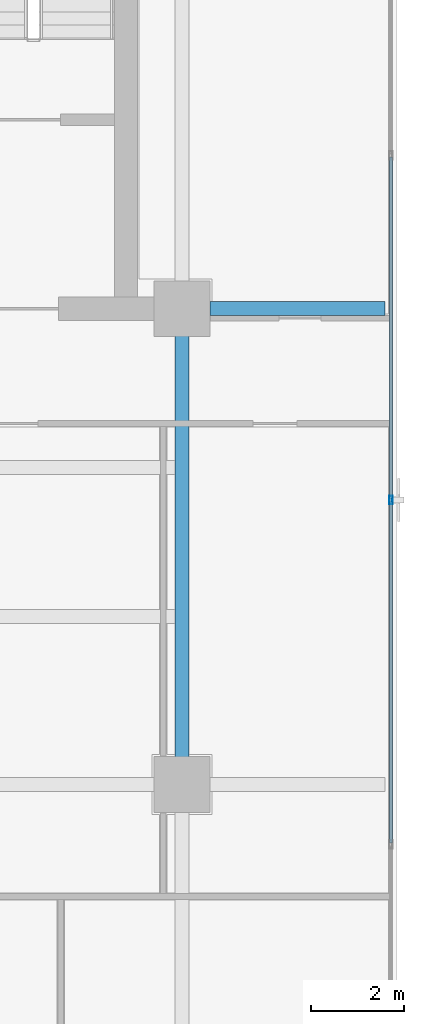
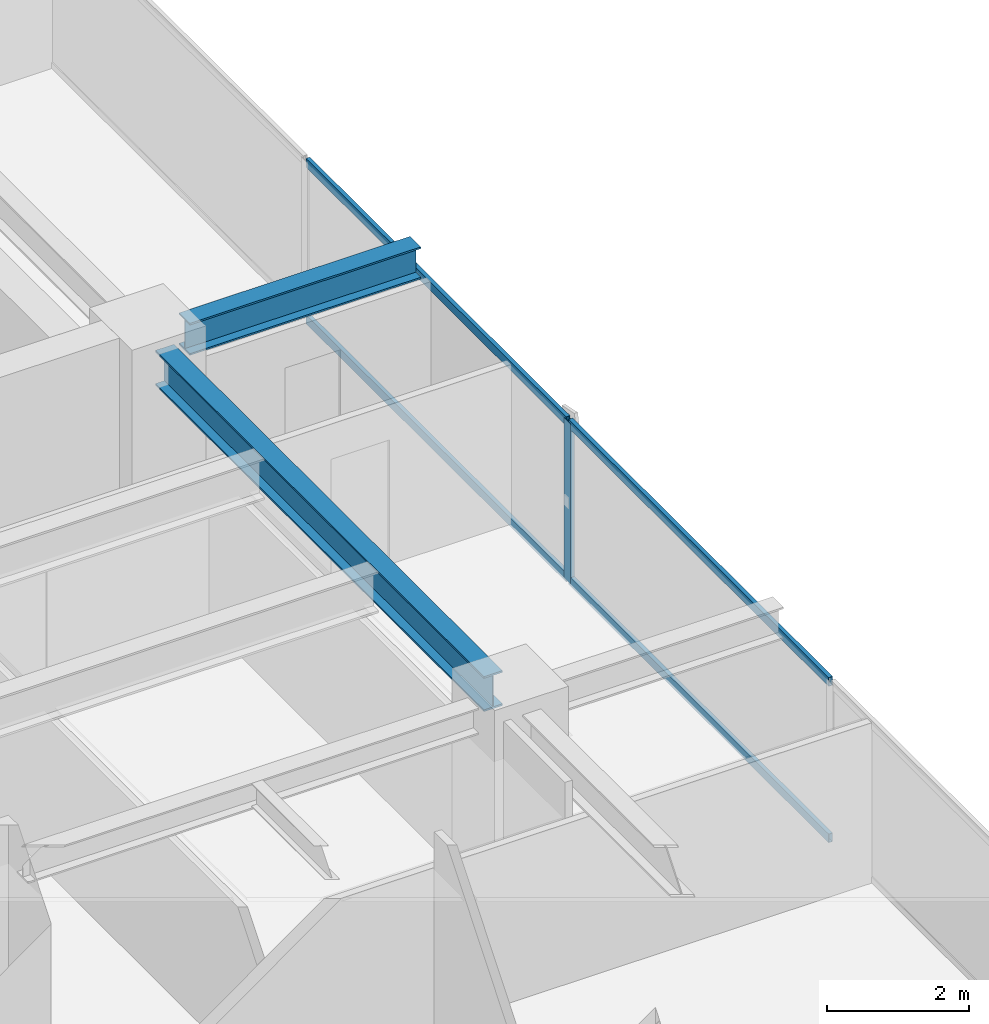
# One storey, part 10 of 23: 5 members, 2 beams, 1 element without a shape of its own.
"""IFC4 building model written with IfcOpenShell, lengths in metres."""

from ifc_helpers import new_model, si_unit, direction, frame, origin, origin_2d, place, context, subcontext, project, spatial, hollow_rectangle, i_section, extrude, source, transform, mapped, material, layer, layer_set, material_profile, profile_set, type_object, element, aggregate, save


model = new_model("IFC4")

# Units and contexts
model_context = context("Model", 3, precision=1e-05, world=origin(), true_north=direction((0.0, 1.0)))
body_context = subcontext(model_context, "Body", "Model", "MODEL_VIEW")
ifc_project = project(units=[si_unit("LENGTHUNIT", "METRE"), si_unit("AREAUNIT", "SQUARE_METRE"), si_unit("VOLUMEUNIT", "CUBIC_METRE"), si_unit("PLANEANGLEUNIT", "RADIAN"), si_unit("MASSUNIT", "GRAM", prefix="KILO")], contexts=[model_context])

# Site, building, storey
site_placement = place(None, origin())
site = spatial("IfcSite", under=ifc_project, at=site_placement, CompositionType="ELEMENT")
building_placement = place(site_placement, origin())
building = spatial("IfcBuilding", under=site, at=building_placement, Name="Sumidabori Civic Tower", CompositionType="ELEMENT")
storey_placement = place(building_placement, frame((0.0, 0.0, 275.60009765625)))
storey = spatial("IfcBuildingStorey", under=building, at=storey_placement, Name="L72", CompositionType="ELEMENT", Elevation=275.60009765625)

# Beams
ifc_material_1 = material(Name="Steel SN490", Category="steel")
ifc_material_profile_1 = material_profile(ifc_material_1, i_section(OverallWidth=0.300048828125, OverallDepth=0.60009765625, WebThickness=0.015380859375, FlangeThickness=0.030029296875, at=origin_2d()), Name="HE 600 B")
ifc_profile_set_1 = profile_set([ifc_material_profile_1], Name="Steel SN490")
beam_type_1 = type_object("IfcBeamType", Name="BM-GIRD-600", PredefinedType="BEAM", material=ifc_profile_set_1)
shared_shape_1 = source(origin(), body_context, "Body", "SweptSolid", [
    extrude(i_section(OverallWidth=0.300048828125, OverallDepth=0.60009765625, WebThickness=0.015380859375, FlangeThickness=0.030029296875, at=origin_2d()), origin(), (0.0, 0.0, 1.0), 9.239990234375),
])
beam_1_placement = place(storey_placement, frame((16.800048828125, 0.47998046875, 3.06982421875), z_axis=(0.0, 1.0, 0.0), x_axis=(-1.0, 0.0, 0.0)))
element("IfcBeam", 1, at=beam_1_placement, inside=storey, type_object=beam_type_1, Name="Primary Girder L72 GY-16", PredefinedType="BEAM", context=body_context, shape_type="MappedRepresentation", body=[
    mapped(shared_shape_1, transform((0.0, 0.0, 0.0), x_axis=(1.0, 0.0, 0.0), y_axis=(0.0, 1.0, 0.0), z_axis=(0.0, 0.0, 1.0), scale=1.0)),
])
ifc_material_profile_2 = material_profile(ifc_material_1, i_section(OverallWidth=0.300048828125, OverallDepth=0.550048828125, WebThickness=0.014892578125, FlangeThickness=0.029052734375, at=origin_2d()), Name="HE 550 B")
ifc_profile_set_2 = profile_set([ifc_material_profile_2], Name="Steel SN490")
beam_type_2 = type_object("IfcBeamType", Name="BM-Z4-EDGE", PredefinedType="SPANDREL", material=ifc_profile_set_2)
shared_shape_2 = source(origin(), body_context, "Body", "SweptSolid", [
    extrude(i_section(OverallWidth=0.300048828125, OverallDepth=0.550048828125, WebThickness=0.014892578125, FlangeThickness=0.029052734375, at=origin_2d()), origin(), (0.0, 0.0, 1.0), 3.75),
])
beam_2_placement = place(storey_placement, frame((17.39990234375, 10.199951171875, 3.094970703125), z_axis=(1.0, 0.0, 0.0), x_axis=(0.0, 1.0, 0.0)))
element("IfcBeam", 2, at=beam_2_placement, inside=storey, type_object=beam_type_2, Name="Perimeter Overhang Beam L72 E-20", PredefinedType="SPANDREL", context=body_context, shape_type="MappedRepresentation", body=[
    mapped(shared_shape_2, transform((0.0, 0.0, 0.0), x_axis=(1.0, 0.0, 0.0), y_axis=(0.0, 1.0, 0.0), z_axis=(0.0, 0.0, 1.0), scale=1.0)),
])

# Curtain wall, members
ifc_material_2 = material(Name="Anodised Bronze Aluminium AW-6063-T6", Category="aluminium")
ifc_layer = layer(ifc_material_2, 0.179931640625, Name="Anodised Bronze Aluminium AW-6063-T6")
ifc_layer_set = layer_set([ifc_layer], Name="Anodised Bronze Aluminium AW-6063-T6")
curtain_wall_type = type_object("IfcCurtainWallType", Name="CW-SYS-6", PredefinedType="NOTDEFINED", material=ifc_layer_set)
curtain_wall_placement = place(storey_placement, origin())
curtain_wall = element("IfcCurtainWall", 3, at=curtain_wall_placement, inside=storey, type_object=curtain_wall_type, Name="Curtain Wall CW:L72:R04", PredefinedType="NOTDEFINED")
ifc_material_profile_3 = material_profile(ifc_material_2, hollow_rectangle(XDim=0.070068359375, YDim=0.179931640625, WallThickness=0.006103515625, at=origin_2d()), Name="ALU MULLION 180x70")
ifc_profile_set_3 = profile_set([ifc_material_profile_3], Name="Anodised Bronze Aluminium AW-6063-T6")
member_type_1 = type_object("IfcMemberType", Name="CW-MUL-180", PredefinedType="MULLION", material=ifc_profile_set_3)
shared_shape_3 = source(origin(), body_context, "Body", "SweptSolid", [
    extrude(hollow_rectangle(XDim=0.070068359375, YDim=0.179931640625, WallThickness=0.006103515625, at=origin_2d()), origin(), (0.0, 0.0, 1.0), 2.75),
])
member_1_placement = place(storey_placement, frame((21.280029296875, 6.10009765625, 0.0), z_axis=(0.0, 0.0, 1.0), x_axis=(-1.0, 0.0, 0.0)))
member_1 = element("IfcMember", 4, at=member_1_placement, type_object=member_type_1, Name="CW-6 mullion 3", PredefinedType="MULLION", context=body_context, shape_type="MappedRepresentation", body=[
    mapped(shared_shape_3, transform((0.0, 0.0, 0.0), x_axis=(1.0, 0.0, 0.0), y_axis=(0.0, 1.0, 0.0), z_axis=(0.0, 0.0, 1.0), scale=1.0)),
])
ifc_material_profile_4 = material_profile(ifc_material_2, hollow_rectangle(XDim=0.06494140625, YDim=0.14990234375, WallThickness=0.0048828125, at=origin_2d()), Name="ALU TRANSOM 150x65")
ifc_profile_set_4 = profile_set([ifc_material_profile_4], Name="Anodised Bronze Aluminium AW-6063-T6")
member_type_2 = type_object("IfcMemberType", Name="CW-TRN-150", PredefinedType="USERDEFINED", material=ifc_profile_set_4)
shared_shape_4 = source(origin(), body_context, "Body", "SweptSolid", [
    extrude(hollow_rectangle(XDim=0.06494140625, YDim=0.14990234375, WallThickness=0.0048828125, at=origin_2d()), origin(), (0.0, 0.0, 1.0), 7.31494140625),
])
member_2_placement = place(storey_placement, frame((21.280029296875, -1.25, 0.032470703125), z_axis=(0.0, 1.0, 0.0), x_axis=(-1.0, 0.0, 0.0)))
member_2 = element("IfcMember", 5, at=member_2_placement, type_object=member_type_2, Name="CW-6 transom 2.1", ObjectType="TRANSOM", PredefinedType="USERDEFINED", context=body_context, shape_type="MappedRepresentation", body=[
    mapped(shared_shape_4, transform((0.0, 0.0, 0.0), x_axis=(1.0, 0.0, 0.0), y_axis=(0.0, 1.0, 0.0), z_axis=(0.0, 0.0, 1.0), scale=1.0)),
])
member_3_placement = place(storey_placement, frame((21.280029296875, -1.25, 2.71728515625), z_axis=(0.0, 1.0, 0.0), x_axis=(-1.0, 0.0, 0.0)))
member_3 = element("IfcMember", 6, at=member_3_placement, type_object=member_type_2, Name="CW-6 transom 2.2", ObjectType="TRANSOM", PredefinedType="USERDEFINED", context=body_context, shape_type="MappedRepresentation", body=[
    mapped(shared_shape_4, transform((0.0, 0.0, 0.0), x_axis=(1.0, 0.0, 0.0), y_axis=(0.0, 1.0, 0.0), z_axis=(0.0, 0.0, 1.0), scale=1.0)),
])
member_4_placement = place(storey_placement, frame((21.280029296875, 6.135009765625, 0.032470703125), z_axis=(0.0, 1.0, 0.0), x_axis=(-1.0, 0.0, 0.0)))
member_4 = element("IfcMember", 7, at=member_4_placement, type_object=member_type_2, Name="CW-6 transom 3.1", ObjectType="TRANSOM", PredefinedType="USERDEFINED", context=body_context, shape_type="MappedRepresentation", body=[
    mapped(shared_shape_4, transform((0.0, 0.0, 0.0), x_axis=(1.0, 0.0, 0.0), y_axis=(0.0, 1.0, 0.0), z_axis=(0.0, 0.0, 1.0), scale=1.0)),
])
member_5_placement = place(storey_placement, frame((21.280029296875, 6.135009765625, 2.71728515625), z_axis=(0.0, 1.0, 0.0), x_axis=(-1.0, 0.0, 0.0)))
member_5 = element("IfcMember", 8, at=member_5_placement, type_object=member_type_2, Name="CW-6 transom 3.2", ObjectType="TRANSOM", PredefinedType="USERDEFINED", context=body_context, shape_type="MappedRepresentation", body=[
    mapped(shared_shape_4, transform((0.0, 0.0, 0.0), x_axis=(1.0, 0.0, 0.0), y_axis=(0.0, 1.0, 0.0), z_axis=(0.0, 0.0, 1.0), scale=1.0)),
])
aggregate(curtain_wall, [member_1, member_2, member_3, member_4, member_5])

save(model, "model.ifc")
